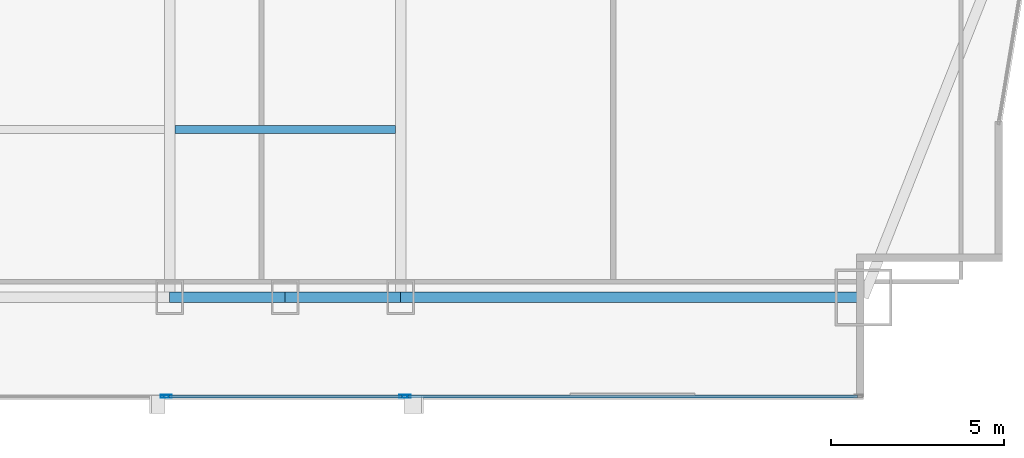
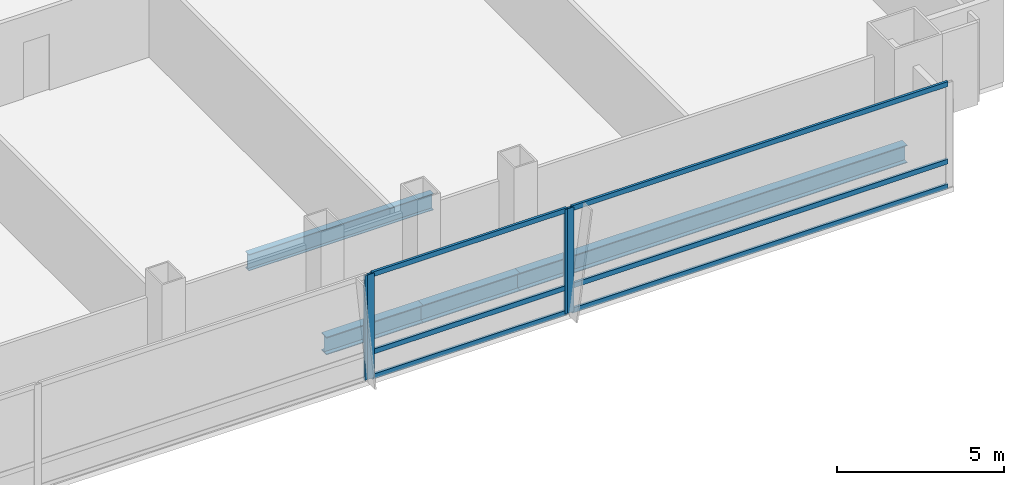
# One storey, part 14 of 32: 10 members, 4 beams, 3 elements without a shape of their own.
"""IFC4 building model written with IfcOpenShell, lengths in metres."""

import ifcopenshell
import ifcopenshell.guid

model = None  # the IFC model being written
_history = None  # IfcOwnerHistory: only IFC2X3 demands one
_inside = {}  # id of a spatial element -> (the spatial element, [elements in it])
_under = {}  # id of a project, library or spatial element -> (it, [spatial elements below it])
_declared = {}  # id of a project -> (the project, [libraries it declares])
_typed = {}  # id of a type object -> (the type object, [elements of that type])
_made_of = {}  # id of a material, layer set ... -> (it, [elements and type objects made of it])


def new_model(schema):
    """Start an empty IFC model of exactly this schema.

    Asked for "IFC4X3", IfcOpenShell would pick the latest addendum, in which some entities
    have other attributes; the version numbers below select the first issue.
    IFC2X3 requires an IfcOwnerHistory on every rooted entity: one is made here for all.
    """
    global model, _history
    if schema == "IFC4X3":
        model = ifcopenshell.file(schema_version=(4, 3, 0, 0))
    else:
        model = ifcopenshell.file(schema=schema)
    _inside.clear()
    _under.clear()
    _declared.clear()
    _typed.clear()
    _made_of.clear()
    _history = None
    if model.schema == "IFC2X3":
        org = make("IfcOrganization", Name="unknown")
        user = make(
            "IfcPersonAndOrganization",
            ThePerson=make("IfcPerson", FamilyName="unknown"),
            TheOrganization=org,
        )
        app = make(
            "IfcApplication",
            ApplicationDeveloper=org,
            Version="unknown",
            ApplicationFullName="unknown",
            ApplicationIdentifier="unknown",
        )
        _history = make(
            "IfcOwnerHistory",
            OwningUser=user,
            OwningApplication=app,
            ChangeAction="ADDED",
            CreationDate=0,
        )
    return model


def make(cls, **values):
    """One entity of the class cls with the attributes given. An attribute that is None is left unset."""
    return model.create_entity(
        cls, **{name: value for name, value in values.items() if value is not None}
    )


def rooted(cls, **values):
    """An entity with a GlobalId (a new one), such as an element, a storey or a relation."""
    return make(cls, GlobalId=ifcopenshell.guid.new(), OwnerHistory=_history, **values)


def si_unit(unit_type, name, prefix=None):
    """IfcSIUnit, for example si_unit("LENGTHUNIT", "METRE", prefix="MILLI")."""
    return make("IfcSIUnit", UnitType=unit_type, Prefix=prefix, Name=name)


def assignment(units):
    """IfcUnitAssignment: the units of a project."""
    return None if units is None else make("IfcUnitAssignment", Units=units)


def point(xyz):
    """IfcCartesianPoint."""
    return None if xyz is None else make("IfcCartesianPoint", Coordinates=xyz)


def direction(xyz):
    """IfcDirection."""
    return None if xyz is None else make("IfcDirection", DirectionRatios=xyz)


def frame(location, z_axis=None, x_axis=None):
    """IfcAxis2Placement3D, a coordinate frame: its origin and axes. An axis left out is left unset."""
    return make(
        "IfcAxis2Placement3D",
        Location=point(location),
        Axis=direction(z_axis),
        RefDirection=direction(x_axis),
    )


def frame_2d(location, x_axis=None):
    """IfcAxis2Placement2D, a coordinate frame in the plane: its origin and x axis."""
    return make(
        "IfcAxis2Placement2D", Location=point(location), RefDirection=direction(x_axis)
    )


def origin():
    """The frame at (0, 0, 0) with its axes left unset."""
    return frame((0.0, 0.0, 0.0))


def origin_2d():
    """The frame at (0, 0) in the plane with its x axis left unset."""
    return frame_2d((0.0, 0.0))


def place(relative_to, where):
    """IfcLocalPlacement: puts the frame where relative to a parent placement (None: the world)."""
    return make(
        "IfcLocalPlacement", PlacementRelTo=relative_to, RelativePlacement=where
    )


def context(
    kind, dimensions, precision=None, world=None, true_north=None, identifier=None
):
    """IfcGeometricRepresentationContext, for example the 3D "Model" context."""
    return make(
        "IfcGeometricRepresentationContext",
        ContextIdentifier=identifier,
        ContextType=kind,
        CoordinateSpaceDimension=dimensions,
        Precision=precision,
        WorldCoordinateSystem=world,
        TrueNorth=true_north,
    )


def subcontext(parent, identifier, kind, view, scale=None):
    """IfcGeometricRepresentationSubContext, for example "Body" below "Model"."""
    return make(
        "IfcGeometricRepresentationSubContext",
        ContextIdentifier=identifier,
        ContextType=kind,
        ParentContext=parent,
        TargetScale=scale,
        TargetView=view,
    )


def project(units=None, contexts=None):
    """IfcProject with its units and contexts."""
    return rooted(
        "IfcProject",
        Name="project",
        RepresentationContexts=contexts,
        UnitsInContext=assignment(units),
    )


def spatial(cls, under=None, at=None, **own):
    """A site, building, storey or space (cls), placed at a placement, below another one or the project."""
    s = rooted(cls, ObjectPlacement=at, **own)
    if under is not None:
        _under.setdefault(under.id(), (under, []))[1].append(s)
    return s


def profile(cls, at=None, kind="AREA", **sizes):
    """A parametric profile (cls). Its sizes go by their IFC names, for example OverallWidth=200.0."""
    return make(cls, ProfileType=kind, Position=at, **sizes)


def hollow_rectangle(**sizes):
    """IfcRectangleHollowProfileDef."""
    return profile("IfcRectangleHollowProfileDef", **sizes)


def i_section(**sizes):
    """IfcIShapeProfileDef."""
    return profile("IfcIShapeProfileDef", **sizes)


def extrude(swept, where, along, depth):
    """IfcExtrudedAreaSolid: the profile swept, set in the frame where, extruded along a direction by depth."""
    return make(
        "IfcExtrudedAreaSolid",
        SweptArea=swept,
        Position=where,
        ExtrudedDirection=direction(along),
        Depth=depth,
    )


def shape(context_of_items, identifier, shape_type, items):
    """IfcShapeRepresentation: the items that make up one representation, for example the "Body"."""
    return make(
        "IfcShapeRepresentation",
        ContextOfItems=context_of_items,
        RepresentationIdentifier=identifier,
        RepresentationType=shape_type,
        Items=items,
    )


def material(Name=None, Category=None):
    """IfcMaterial."""
    return make("IfcMaterial", Name=Name, Category=Category)


def material_profile(
    of_material, cross_section, Name=None, Category=None, Priority=None
):
    """IfcMaterialProfile: a cross section and its material."""
    return make(
        "IfcMaterialProfile",
        Name=Name,
        Material=of_material,
        Profile=cross_section,
        Priority=Priority,
        Category=Category,
    )


def profile_set(profiles, Name=None, composite=None):
    """IfcMaterialProfileSet."""
    return make(
        "IfcMaterialProfileSet",
        Name=Name,
        MaterialProfiles=profiles,
        CompositeProfile=composite,
    )


def made_of(thing, what):
    """Note that an element or type object is made of a material, layer set ...; save() writes the relation."""
    if what is not None:
        _made_of.setdefault(what.id(), (what, []))[1].append(thing)
    return thing


def type_object(cls, material=None, **own):
    """A type object (cls), such as IfcWallType, which elements share."""
    return made_of(rooted(cls, **own), material)


def element(
    cls,
    number,
    at=None,
    inside=None,
    cuts=None,
    type_object=None,
    material=None,
    context=None,
    identifier="Body",
    shape_type=None,
    held_by="IfcProductDefinitionShape",
    body=None,
    shapes=None,
    **own,
):
    """One element of the class cls, such as IfcWall. Its Tag is "e" and its number.

    at: its placement. inside: the storey or other place that contains it. cuts: it is an
    opening in that element (IfcRelVoidsElement). A single representation is given by context,
    identifier, shape_type and body (its items); several are given by shapes. held_by: the class
    of the entity that holds the representations. save() writes the other relations.
    """
    e = rooted(cls, Tag="e%d" % number, ObjectPlacement=at, **own)
    if body is not None:
        shapes = [shape(context, identifier, shape_type, body)]
    if shapes is not None:
        e.Representation = make(held_by, Representations=shapes)
    if inside is not None:
        _inside.setdefault(inside.id(), (inside, []))[1].append(e)
    if cuts is not None:
        rooted(
            "IfcRelVoidsElement", RelatingBuildingElement=cuts, RelatedOpeningElement=e
        )
    if type_object is not None:
        _typed.setdefault(type_object.id(), (type_object, []))[1].append(e)
    return made_of(e, material)


def aggregate(whole, parts):
    """IfcRelAggregates: a whole, such as a stair, and the parts it consists of."""
    return rooted("IfcRelAggregates", RelatingObject=whole, RelatedObjects=parts)


def save(model, path):
    """Write the relations noted so far, then the file.

    IfcRelAggregates (storeys below a building ...), IfcRelContainedInSpatialStructure (elements
    in a storey), IfcRelDefinesByType, IfcRelAssociatesMaterial and IfcRelDeclares: one each for
    every whole, place, type object, material and project.
    """
    for whole, parts in _under.values():
        aggregate(whole, parts)
    for where, things in _inside.values():
        rooted(
            "IfcRelContainedInSpatialStructure",
            RelatedElements=things,
            RelatingStructure=where,
        )
    for kind, things in _typed.values():
        rooted("IfcRelDefinesByType", RelatedObjects=things, RelatingType=kind)
    for what, things in _made_of.values():
        rooted("IfcRelAssociatesMaterial", RelatedObjects=things, RelatingMaterial=what)
    for by, libraries in _declared.values():
        rooted("IfcRelDeclares", RelatingContext=by, RelatedDefinitions=libraries)
    model.write(path)


model = new_model("IFC4")

# Units and contexts
model_context = context("Model", 3, precision=1e-05, world=origin(), true_north=direction((0.0, 1.0)))
body_context = subcontext(model_context, "Body", "Model", "MODEL_VIEW")
ifc_project = project(units=[si_unit("LENGTHUNIT", "METRE"), si_unit("AREAUNIT", "SQUARE_METRE"), si_unit("VOLUMEUNIT", "CUBIC_METRE"), si_unit("PLANEANGLEUNIT", "RADIAN"), si_unit("MASSUNIT", "GRAM", prefix="KILO")], contexts=[model_context])

# Site, building, storey
site_placement = place(None, origin())
site = spatial("IfcSite", under=ifc_project, at=site_placement, CompositionType="ELEMENT")
building_placement = place(site_placement, origin())
building = spatial("IfcBuilding", under=site, at=building_placement, Name="Khoronbel Lancet Exchange", CompositionType="ELEMENT")
storey_placement = place(building_placement, frame((0.0, 0.0, 65.800048828125)))
storey = spatial("IfcBuildingStorey", under=building, at=storey_placement, Name="L15", CompositionType="ELEMENT", Elevation=65.800048828125)

# Beams
ifc_material_1 = material(Name="Steel S355", Category="steel")
ifc_material_profile_1 = material_profile(ifc_material_1, i_section(OverallWidth=0.219970703125, OverallDepth=0.60009765625, WebThickness=0.011962890625, FlangeThickness=0.01904296875, at=origin_2d()), Name="IPE 600")
ifc_profile_set_1 = profile_set([ifc_material_profile_1], Name="Steel S355")
beam_type_1 = type_object("IfcBeamType", Name="BM-BJ1", PredefinedType="JOIST", material=ifc_profile_set_1)
beam_1_placement = place(storey_placement, frame((48.14990234375, 15.0, -0.47998046875), z_axis=(1.0, 0.0, 0.0), x_axis=(0.0, 1.0, 0.0)))
element("IfcBeam", 1, at=beam_1_placement, inside=storey, type_object=beam_type_1, Name="Level L15 secondary composite joist J05", PredefinedType="JOIST", context=body_context, shape_type="SweptSolid", body=[
    extrude(i_section(OverallWidth=0.219970703125, OverallDepth=0.60009765625, WebThickness=0.011962890625, FlangeThickness=0.01904296875, at=origin_2d()), origin(), (0.0, 0.0, 1.0), 6.375),
])
ifc_material_profile_2 = material_profile(ifc_material_1, i_section(OverallWidth=0.300048828125, OverallDepth=0.64990234375, WebThickness=0.01611328125, FlangeThickness=0.031005859375, at=origin_2d()), Name="HEB 650")
ifc_profile_set_2 = profile_set([ifc_material_profile_2], Name="Steel S355")
beam_type_2 = type_object("IfcBeamType", Name="BM-BSP1", PredefinedType="SPANDREL", material=ifc_profile_set_2)
beam_2_placement = place(storey_placement, frame((48.0, 10.14990234375, -0.505126953125), z_axis=(1.0, 0.0, 0.0), x_axis=(0.0, 1.0, 0.0)))
element("IfcBeam", 2, at=beam_2_placement, inside=storey, type_object=beam_type_2, Name="Level L15 perimeter spandrel beam SP07", PredefinedType="SPANDREL", context=body_context, shape_type="SweptSolid", body=[
    extrude(i_section(OverallWidth=0.300048828125, OverallDepth=0.64990234375, WebThickness=0.01611328125, FlangeThickness=0.031005859375, at=origin_2d()), origin(), (0.0, 0.0, 1.0), 3.33740234375),
])
beam_3_placement = place(storey_placement, frame((51.33740234375, 10.14990234375, -0.505126953125), z_axis=(1.0, 0.0, 0.0), x_axis=(0.0, 1.0, 0.0)))
element("IfcBeam", 3, at=beam_3_placement, inside=storey, type_object=beam_type_2, Name="Level L15 perimeter spandrel beam SP08", PredefinedType="SPANDREL", context=body_context, shape_type="SweptSolid", body=[
    extrude(i_section(OverallWidth=0.300048828125, OverallDepth=0.64990234375, WebThickness=0.01611328125, FlangeThickness=0.031005859375, at=origin_2d()), origin(), (0.0, 0.0, 1.0), 3.337646484375),
])
beam_4_placement = place(storey_placement, frame((54.675048828125, 10.14990234375, -0.505126953125), z_axis=(1.0, 0.0, 0.0), x_axis=(0.0, 1.0, 0.0)))
element("IfcBeam", 4, at=beam_4_placement, inside=storey, type_object=beam_type_2, Name="Level L15 perimeter spandrel beam SP09", PredefinedType="SPANDREL", context=body_context, shape_type="SweptSolid", body=[
    extrude(i_section(OverallWidth=0.300048828125, OverallDepth=0.64990234375, WebThickness=0.01611328125, FlangeThickness=0.031005859375, at=origin_2d()), origin(), (0.0, 0.0, 1.0), 13.375),
])

# Curtain wall, member
ifc_material_2 = material(Name="Low-E Solar Control Insulating Glass", Category="glass")
curtain_wall_type = type_object("IfcCurtainWallType", Name="CW-1", PredefinedType="NOTDEFINED", material=ifc_material_2)
curtain_wall_1_placement = place(storey_placement, origin())
curtain_wall_1 = element("IfcCurtainWall", 5, at=curtain_wall_1_placement, inside=storey, type_object=curtain_wall_type, Name="Unitised curtain wall CW-L15-SCV", PredefinedType="NOTDEFINED")
ifc_material_3 = material(Name="Bronze-Anodised Aluminium 6063-T6", Category="aluminium")
ifc_material_profile_3 = material_profile(ifc_material_3, hollow_rectangle(XDim=0.0849609375, YDim=0.239990234375, WallThickness=0.006103515625, at=origin_2d()), Name="ALU MULLION 85x240")
ifc_profile_set_3 = profile_set([ifc_material_profile_3], Name="Bronze-Anodised Aluminium 6063-T6")
member_type_1 = type_object("IfcMemberType", Name="MEM-CWM1", PredefinedType="MULLION", material=ifc_profile_set_3)
member_1_placement = place(storey_placement, frame((47.857421875, 7.2900390625, 0.0), z_axis=(0.0, 0.0, 1.0), x_axis=(0.0, 1.0, 0.0)))
member_1 = element("IfcMember", 6, at=member_1_placement, type_object=member_type_1, Name="CW1 mullion 3", PredefinedType="MULLION", context=body_context, shape_type="SweptSolid", body=[
    extrude(hollow_rectangle(XDim=0.0849609375, YDim=0.239990234375, WallThickness=0.006103515625, at=origin_2d()), origin(), (0.0, 0.0, 1.0), 3.820068359375),
])
aggregate(curtain_wall_1, [member_1])

# Curtain wall, members
curtain_wall_2_placement = place(storey_placement, origin())
curtain_wall_2 = element("IfcCurtainWall", 7, at=curtain_wall_2_placement, inside=storey, type_object=curtain_wall_type, Name="Unitised curtain wall CW-L15-SEB", PredefinedType="NOTDEFINED")
member_2_placement = place(storey_placement, frame((47.9423828125, 7.2900390625, 0.0), z_axis=(0.0, 0.0, 1.0), x_axis=(0.0, 1.0, 0.0)))
member_2 = element("IfcMember", 8, at=member_2_placement, type_object=member_type_1, Name="CW1 mullion 1", PredefinedType="MULLION", context=body_context, shape_type="SweptSolid", body=[
    extrude(hollow_rectangle(XDim=0.0849609375, YDim=0.239990234375, WallThickness=0.006103515625, at=origin_2d()), origin(), (0.0, 0.0, 1.0), 3.820068359375),
])
member_3_placement = place(storey_placement, frame((54.757568359375, 7.2900390625, 0.0), z_axis=(0.0, 0.0, 1.0), x_axis=(0.0, 1.0, 0.0)))
member_3 = element("IfcMember", 9, at=member_3_placement, type_object=member_type_1, Name="CW1 mullion 2", PredefinedType="MULLION", context=body_context, shape_type="SweptSolid", body=[
    extrude(hollow_rectangle(XDim=0.0849609375, YDim=0.239990234375, WallThickness=0.006103515625, at=origin_2d()), origin(), (0.0, 0.0, 1.0), 3.820068359375),
])

# Curtain wall, member
curtain_wall_3_placement = place(storey_placement, origin())
curtain_wall_3 = element("IfcCurtainWall", 10, at=curtain_wall_3_placement, inside=storey, type_object=curtain_wall_type, Name="Unitised curtain wall CW-L15-SEV", PredefinedType="NOTDEFINED")
member_4_placement = place(storey_placement, frame((54.842529296875, 7.2900390625, 0.0), z_axis=(0.0, 0.0, 1.0), x_axis=(0.0, 1.0, 0.0)))
member_4 = element("IfcMember", 11, at=member_4_placement, type_object=member_type_1, Name="CW1 mullion 1", PredefinedType="MULLION", context=body_context, shape_type="SweptSolid", body=[
    extrude(hollow_rectangle(XDim=0.0849609375, YDim=0.239990234375, WallThickness=0.006103515625, at=origin_2d()), origin(), (0.0, 0.0, 1.0), 3.820068359375),
])

# Member
ifc_material_profile_4 = material_profile(ifc_material_3, hollow_rectangle(XDim=0.0849609375, YDim=0.179931640625, WallThickness=0.0048828125, at=origin_2d()), Name="ALU TRANSOM 85x180")
ifc_profile_set_4 = profile_set([ifc_material_profile_4], Name="Bronze-Anodised Aluminium 6063-T6")
member_type_2 = type_object("IfcMemberType", Name="MEM-CWT1", PredefinedType="USERDEFINED", material=ifc_profile_set_4)
member_5_placement = place(storey_placement, frame((47.985107421875, 7.2900390625, 0.04248046875), z_axis=(1.0, 0.0, 0.0), x_axis=(0.0, 1.0, 0.0)))
member_5 = element("IfcMember", 12, at=member_5_placement, type_object=member_type_2, Name="CW1 transom 1.1", ObjectType="TRANSOM", PredefinedType="USERDEFINED", context=body_context, shape_type="SweptSolid", body=[
    extrude(hollow_rectangle(XDim=0.0849609375, YDim=0.179931640625, WallThickness=0.0048828125, at=origin_2d()), origin(), (0.0, 0.0, 1.0), 6.72998046875),
])

member_6_placement = place(storey_placement, frame((47.985107421875, 7.2900390625, 0.949951171875), z_axis=(1.0, 0.0, 0.0), x_axis=(0.0, 1.0, 0.0)))
member_6 = element("IfcMember", 13, at=member_6_placement, type_object=member_type_2, Name="CW1 transom 1.2", ObjectType="TRANSOM", PredefinedType="USERDEFINED", context=body_context, shape_type="SweptSolid", body=[
    extrude(hollow_rectangle(XDim=0.0849609375, YDim=0.179931640625, WallThickness=0.0048828125, at=origin_2d()), origin(), (0.0, 0.0, 1.0), 6.72998046875),
])

member_7_placement = place(storey_placement, frame((47.985107421875, 7.2900390625, 3.77734375), z_axis=(1.0, 0.0, 0.0), x_axis=(0.0, 1.0, 0.0)))
member_7 = element("IfcMember", 14, at=member_7_placement, type_object=member_type_2, Name="CW1 transom 1.3", ObjectType="TRANSOM", PredefinedType="USERDEFINED", context=body_context, shape_type="SweptSolid", body=[
    extrude(hollow_rectangle(XDim=0.0849609375, YDim=0.179931640625, WallThickness=0.0048828125, at=origin_2d()), origin(), (0.0, 0.0, 1.0), 6.72998046875),
])

aggregate(curtain_wall_2, [member_2, member_3, member_5, member_6, member_7])

member_8_placement = place(storey_placement, frame((54.885009765625, 7.2900390625, 0.04248046875), z_axis=(1.0, 0.0, 0.0), x_axis=(0.0, 1.0, 0.0)))
member_8 = element("IfcMember", 15, at=member_8_placement, type_object=member_type_2, Name="CW1 transom 1.1", ObjectType="TRANSOM", PredefinedType="USERDEFINED", context=body_context, shape_type="SweptSolid", body=[
    extrude(hollow_rectangle(XDim=0.0849609375, YDim=0.179931640625, WallThickness=0.0048828125, at=origin_2d()), origin(), (0.0, 0.0, 1.0), 12.989990234375),
])

member_9_placement = place(storey_placement, frame((54.885009765625, 7.2900390625, 0.949951171875), z_axis=(1.0, 0.0, 0.0), x_axis=(0.0, 1.0, 0.0)))
member_9 = element("IfcMember", 16, at=member_9_placement, type_object=member_type_2, Name="CW1 transom 1.2", ObjectType="TRANSOM", PredefinedType="USERDEFINED", context=body_context, shape_type="SweptSolid", body=[
    extrude(hollow_rectangle(XDim=0.0849609375, YDim=0.179931640625, WallThickness=0.0048828125, at=origin_2d()), origin(), (0.0, 0.0, 1.0), 12.989990234375),
])

member_10_placement = place(storey_placement, frame((54.885009765625, 7.2900390625, 3.77734375), z_axis=(1.0, 0.0, 0.0), x_axis=(0.0, 1.0, 0.0)))
member_10 = element("IfcMember", 17, at=member_10_placement, type_object=member_type_2, Name="CW1 transom 1.3", ObjectType="TRANSOM", PredefinedType="USERDEFINED", context=body_context, shape_type="SweptSolid", body=[
    extrude(hollow_rectangle(XDim=0.0849609375, YDim=0.179931640625, WallThickness=0.0048828125, at=origin_2d()), origin(), (0.0, 0.0, 1.0), 12.989990234375),
])

aggregate(curtain_wall_3, [member_4, member_8, member_9, member_10])

save(model, "model.ifc")
